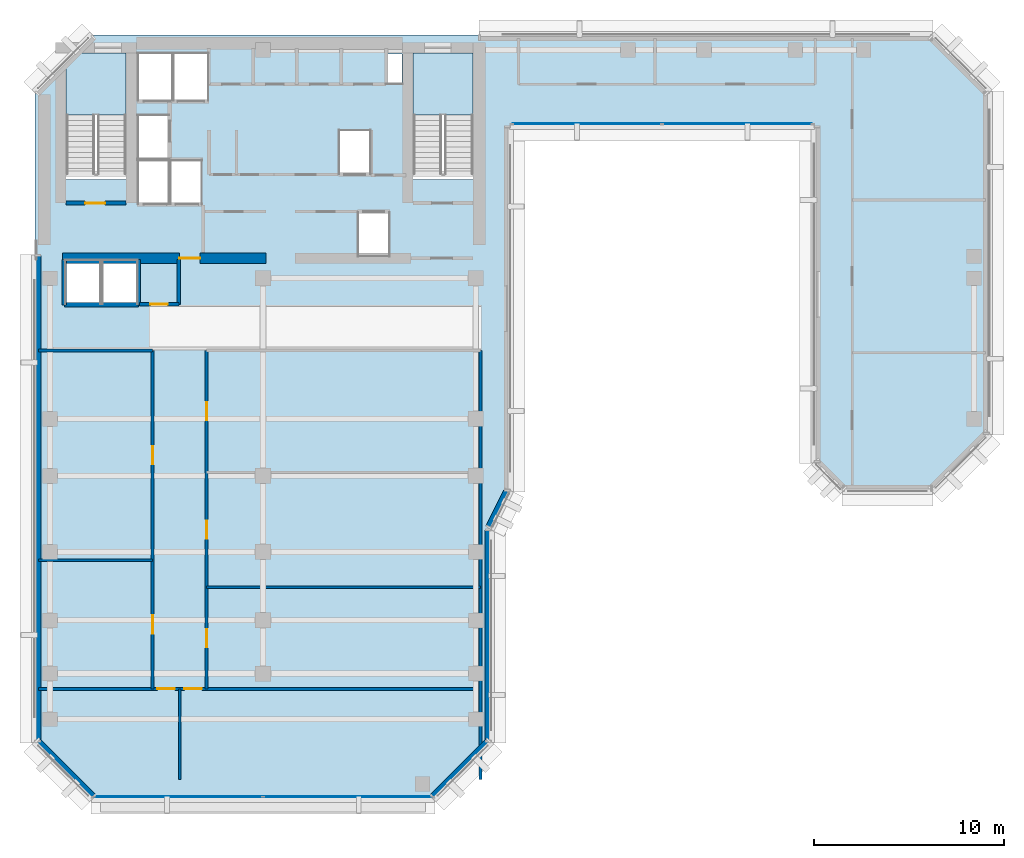
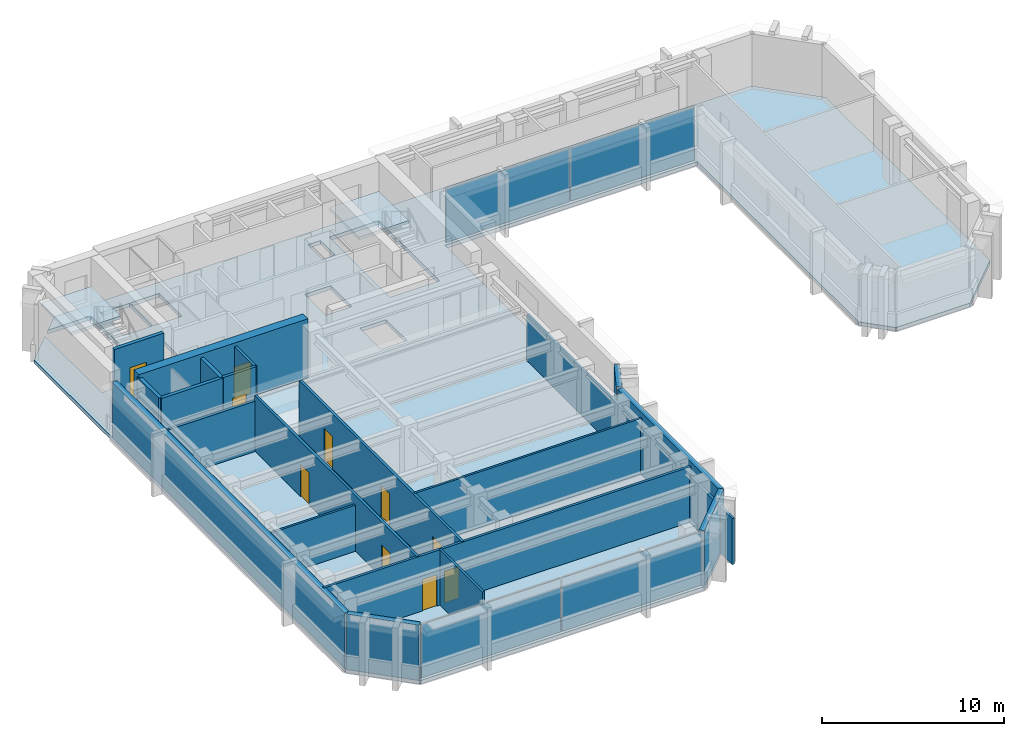
# One storey, part 5 of 11: 20 walls, 10 doors, 4 plates, 3 slabs, 10 openings, 4 elements without a shape of their own.
"""IFC4 building model written with IfcOpenShell, lengths in metres."""

from ifc_helpers import new_model, si_unit, direction, frame, frame_2d, origin, origin_2d, place, context, subcontext, project, spatial, polyline, rectangle, outline, extrude, material, layer, layer_set, type_object, element, fill, aggregate, save


model = new_model("IFC4")

# Units and contexts
model_context = context("Model", 3, precision=1e-05, world=origin(), true_north=direction((0.0, 1.0)))
body_context = subcontext(model_context, "Body", "Model", "MODEL_VIEW")
ifc_project = project(units=[si_unit("LENGTHUNIT", "METRE"), si_unit("AREAUNIT", "SQUARE_METRE"), si_unit("VOLUMEUNIT", "CUBIC_METRE"), si_unit("PLANEANGLEUNIT", "RADIAN"), si_unit("MASSUNIT", "GRAM", prefix="KILO")], contexts=[model_context])

# Site, building, storey
site_placement = place(None, origin())
site = spatial("IfcSite", under=ifc_project, at=site_placement, CompositionType="ELEMENT")
building_placement = place(site_placement, origin())
building = spatial("IfcBuilding", under=site, at=building_placement, Name="Kefirva Bronze Tower", CompositionType="ELEMENT")
storey_placement = place(building_placement, frame((0.0, 0.0, 243.5400390625)))
storey = spatial("IfcBuildingStorey", under=building, at=storey_placement, Name="L59", CompositionType="ELEMENT", Elevation=243.5400390625)

# Stair, slab
ifc_material_1 = material(Name="Concrete C40/50", Category="concrete")
stair_type = type_object("IfcStairType", Name="RC Dogleg Protected Stair 24R", PredefinedType="HALF_TURN_STAIR", material=ifc_material_1)
stair_1_placement = place(storey_placement, origin())
stair_1 = element("IfcStair", 1, at=stair_1_placement, inside=storey, type_object=stair_type, Name="L59 Protected Exit Stair 1", PredefinedType="HALF_TURN_STAIR")
ifc_layer_1 = layer(ifc_material_1, 0.199951171875, Name="Concrete C40/50")
ifc_layer_set_1 = layer_set([ifc_layer_1], Name="Concrete C40/50")
slab_type_1 = type_object("IfcSlabType", Name="RC Stair Landing Slab 200mm", PredefinedType="LANDING", material=ifc_layer_set_1)
slab_1_placement = place(storey_placement, frame((0.0, 0.0, 1.780029296875)))
slab_1 = element("IfcSlab", 2, at=slab_1_placement, type_object=slab_type_1, Name="ST-1 landing 1", PredefinedType="LANDING", context=body_context, shape_type="SweptSolid", body=[
    extrude(outline(polyline([(4.800048828125, 41.780029296875), (4.800048828125, 45.050048828125), (1.64990234375, 45.050048828125), (1.64990234375, 41.780029296875), (4.800048828125, 41.780029296875)])), origin(), (0.0, 0.0, 1.0), 0.199951171875),
])
aggregate(stair_1, [slab_1])

stair_2_placement = place(storey_placement, origin())
stair_2 = element("IfcStair", 3, at=stair_2_placement, inside=storey, type_object=stair_type, Name="L59 Protected Exit Stair 2", PredefinedType="HALF_TURN_STAIR")
slab_2_placement = place(storey_placement, frame((0.0, 0.0, 1.780029296875)))
slab_2 = element("IfcSlab", 4, at=slab_2_placement, type_object=slab_type_1, Name="ST-2 landing 1", PredefinedType="LANDING", context=body_context, shape_type="SweptSolid", body=[
    extrude(outline(polyline([(23.050048828125, 41.780029296875), (23.050048828125, 45.050048828125), (19.89990234375, 45.050048828125), (19.89990234375, 41.780029296875), (23.050048828125, 41.780029296875)])), origin(), (0.0, 0.0, 1.0), 0.199951171875),
])
aggregate(stair_2, [slab_2])

# Slab
ifc_layer_2 = layer(ifc_material_1, 0.25, Name="Concrete C40/50")
ifc_layer_set_2 = layer_set([ifc_layer_2], Name="Concrete C40/50")
slab_type_2 = type_object("IfcSlabType", Name="RC Tower Floor Slab 250mm", PredefinedType="FLOOR", material=ifc_layer_set_2)
slab_3_placement = place(storey_placement, frame((0.0, 0.0, -0.25)))
element("IfcSlab", 5, at=slab_3_placement, inside=storey, type_object=slab_type_2, Name="L59 Structural Floor Slab", PredefinedType="FLOOR", context=body_context, shape_type="SweptSolid", body=[
    extrude(outline(polyline([(0.0, 8.800048828125), (0.0, 43.0), (1.64990234375, 44.64990234375), (1.64990234375, 38.39990234375), (4.800048828125, 38.39990234375), (4.800048828125, 45.050048828125), (2.050048828125, 45.050048828125), (3.0, 46.0), (47.199951171875, 46.0), (50.199951171875, 43.0), (50.199951171875, 25.0), (47.199951171875, 22.0), (42.5, 22.0), (41.0, 23.5), (41.0, 41.199951171875), (25.0, 41.199951171875), (25.0, 22.0), (24.0, 20.0), (24.0, 8.800048828125), (21.0, 5.800048828125), (3.0, 5.800048828125), (0.0, 8.800048828125)]), holes=[polyline([(23.050048828125, 45.050048828125), (19.89990234375, 45.050048828125), (19.89990234375, 38.39990234375), (23.050048828125, 38.39990234375), (23.050048828125, 45.050048828125)]), polyline([(19.320068359375, 43.419921875), (19.320068359375, 45.0), (18.52001953125, 45.0), (18.52001953125, 43.419921875), (19.320068359375, 43.419921875)]), polyline([(18.64990234375, 36.64990234375), (17.0, 36.64990234375), (17.0, 34.35009765625), (18.64990234375, 34.35009765625), (18.64990234375, 36.64990234375)]), polyline([(17.64990234375, 38.679931640625), (17.64990234375, 40.97998046875), (16.0, 40.97998046875), (16.0, 38.679931640625), (17.64990234375, 38.679931640625)]), polyline([(9.1201171875, 42.550048828125), (9.1201171875, 45.050048828125), (7.300048828125, 45.050048828125), (7.300048828125, 42.550048828125), (9.1201171875, 42.550048828125)]), polyline([(8.780029296875, 37.10009765625), (8.780029296875, 39.39990234375), (7.139892578125, 39.39990234375), (7.139892578125, 37.10009765625), (8.780029296875, 37.10009765625)]), polyline([(7.239990234375, 42.550048828125), (7.239990234375, 45.050048828125), (5.419921875, 45.050048828125), (5.419921875, 42.550048828125), (7.239990234375, 42.550048828125)]), polyline([(7.06005859375, 37.10009765625), (7.06005859375, 39.39990234375), (5.419921875, 39.39990234375), (5.419921875, 37.10009765625), (7.06005859375, 37.10009765625)]), polyline([(7.06005859375, 41.780029296875), (5.419921875, 41.780029296875), (5.419921875, 39.47998046875), (7.06005859375, 39.47998046875), (7.06005859375, 41.780029296875)]), polyline([(5.39990234375, 31.85009765625), (5.39990234375, 34.14990234375), (3.550048828125, 34.14990234375), (3.550048828125, 31.85009765625), (5.39990234375, 31.85009765625)]), polyline([(3.449951171875, 34.14990234375), (1.60009765625, 34.14990234375), (1.60009765625, 31.85009765625), (3.449951171875, 31.85009765625), (3.449951171875, 34.14990234375)])]), origin(), (0.0, 0.0, 1.0), 0.25),
])

# Curtain wall, plates
ifc_material_2 = material(Name="Bronze anodised aluminium", Category="aluminium")
ifc_layer_3 = layer(ifc_material_2, 0.179931640625, Name="Bronze anodised aluminium")
ifc_layer_set_3 = layer_set([ifc_layer_3], Name="Bronze anodised aluminium")
curtain_wall_type = type_object("IfcCurtainWallType", Name="Unitised Bronze Ribbon Curtain Wall Zone 3", PredefinedType="USERDEFINED", material=ifc_layer_set_3)
curtain_wall_1_placement = place(storey_placement, origin())
curtain_wall_1 = element("IfcCurtainWall", 6, at=curtain_wall_1_placement, inside=storey, type_object=curtain_wall_type, Name="L59 Curtain Wall 1", ObjectType="UNITISED CURTAIN WALL", PredefinedType="USERDEFINED")
ifc_material_3 = material(Name="Laminated low-E double glazing", Category="glass")
ifc_layer_4 = layer(ifc_material_3, 0.031982421875, Name="Laminated low-E double glazing")
ifc_layer_set_4 = layer_set([ifc_layer_4], Name="Laminated low-E double glazing")
plate_type = type_object("IfcPlateType", Name="Solar-Control Low-E Vision Panel 32mm", PredefinedType="CURTAIN_PANEL", material=ifc_layer_set_4)
plate_1_placement = place(storey_placement, frame((7.546142578125, 5.919921875, 0.074951171875), z_axis=(0.0, 0.0, 1.0), x_axis=(1.0, 0.0, 0.0)))
plate_1 = element("IfcPlate", 7, at=plate_1_placement, type_object=plate_type, Name="CW-03 panel 1.1", PredefinedType="CURTAIN_PANEL", context=body_context, shape_type="SweptSolid", body=[
    extrude(rectangle(XDim=8.83251953125, YDim=0.031982421875, at=origin_2d()), origin(), (0.0, 0.0, 1.0), 3.56005859375),
])
plate_2_placement = place(storey_placement, frame((16.453857421875, 5.919921875, 0.074951171875), z_axis=(0.0, 0.0, 1.0), x_axis=(1.0, 0.0, 0.0)))
plate_2 = element("IfcPlate", 8, at=plate_2_placement, type_object=plate_type, Name="CW-03 panel 2.1", PredefinedType="CURTAIN_PANEL", context=body_context, shape_type="SweptSolid", body=[
    extrude(rectangle(XDim=8.83251953125, YDim=0.031982421875, at=origin_2d()), origin(), (0.0, 0.0, 1.0), 3.56005859375),
])
aggregate(curtain_wall_1, [plate_1, plate_2])

curtain_wall_2_placement = place(storey_placement, origin())
curtain_wall_2 = element("IfcCurtainWall", 9, at=curtain_wall_2_placement, inside=storey, type_object=curtain_wall_type, Name="L59 Curtain Wall 2", ObjectType="UNITISED CURTAIN WALL", PredefinedType="USERDEFINED")
plate_3_placement = place(storey_placement, frame((29.046142578125, 41.320068359375, 0.074951171875), z_axis=(0.0, 0.0, 1.0), x_axis=(1.0, 0.0, 0.0)))
plate_3 = element("IfcPlate", 10, at=plate_3_placement, type_object=plate_type, Name="CW-03 panel 1.1", PredefinedType="CURTAIN_PANEL", context=body_context, shape_type="SweptSolid", body=[
    extrude(rectangle(XDim=7.83251953125, YDim=0.031982421875, at=origin_2d()), origin(), (0.0, 0.0, 1.0), 3.56005859375),
])
plate_4_placement = place(storey_placement, frame((36.953857421875, 41.320068359375, 0.074951171875), z_axis=(0.0, 0.0, 1.0), x_axis=(1.0, 0.0, 0.0)))
plate_4 = element("IfcPlate", 11, at=plate_4_placement, type_object=plate_type, Name="CW-03 panel 2.1", PredefinedType="CURTAIN_PANEL", context=body_context, shape_type="SweptSolid", body=[
    extrude(rectangle(XDim=7.83251953125, YDim=0.031982421875, at=origin_2d()), origin(), (0.0, 0.0, 1.0), 3.56005859375),
])
aggregate(curtain_wall_2, [plate_3, plate_4])

# Walls
ifc_material_4 = material(Name="Gypsum acoustic partition")
ifc_layer_5 = layer(ifc_material_4, 0.1298828125, Name="Gypsum acoustic partition")
ifc_layer_set_5 = layer_set([ifc_layer_5], Name="Gypsum acoustic partition")
wall_type_1 = type_object("IfcWallType", Name="Acoustic Office Partition 130mm", PredefinedType="PARTITIONING", material=ifc_layer_set_5)
wall_1_placement = place(storey_placement, frame((7.6201171875, 6.840087890625, 0.0), z_axis=(0.0, 0.0, 1.0), x_axis=(0.0, 1.0, 0.0)))
element("IfcWall", 12, at=wall_1_placement, inside=storey, type_object=wall_type_1, Name="L59 Partition W-L59-CAPDV", PredefinedType="PARTITIONING", context=body_context, shape_type="SweptSolid", body=[
    extrude(rectangle(XDim=4.760009765625, YDim=0.1298828125, at=frame_2d((2.3798828125, 0.0))), origin(), (0.0, 0.0, 1.0), 3.7099609375),
])
wall_2_placement = place(storey_placement, frame((0.18994140625, 18.364013671875, 0.0), z_axis=(0.0, 0.0, 1.0), x_axis=(1.0, 0.0, 0.0)))
element("IfcWall", 13, at=wall_2_placement, inside=storey, type_object=wall_type_1, Name="L59 Partition W-L59-SWD1", PredefinedType="PARTITIONING", context=body_context, shape_type="SweptSolid", body=[
    extrude(rectangle(XDim=6.010009765625, YDim=0.1298828125, at=frame_2d((3.0048828125, 0.0))), origin(), (0.0, 0.0, 1.0), 3.094970703125),
])
wall_3_placement = place(storey_placement, frame((9.0400390625, 16.93994140625, 0.0), z_axis=(0.0, 0.0, 1.0), x_axis=(1.0, 0.0, 0.0)))
element("IfcWall", 14, at=wall_3_placement, inside=storey, type_object=wall_type_1, Name="L59 Partition W-L59-SED1", PredefinedType="PARTITIONING", context=body_context, shape_type="SweptSolid", body=[
    extrude(rectangle(XDim=14.409912109375, YDim=0.1298828125, at=frame_2d((7.205078125, 0.0))), origin(), (0.0, 0.0, 1.0), 3.7099609375),
])

# Wall, opening, door
ifc_material_5 = material(Name="Gypsum fireboard shaftwall")
ifc_layer_6 = layer(ifc_material_5, 0.219970703125, Name="Gypsum fireboard shaftwall")
ifc_layer_set_6 = layer_set([ifc_layer_6], Name="Gypsum fireboard shaftwall")
wall_type_2 = type_object("IfcWallType", Name="Fire-Rated Shaft Enclosure Wall 220mm", PredefinedType="PARTITIONING", material=ifc_layer_set_6)
wall_4_placement = place(storey_placement, frame((1.64990234375, 37.14990234375, 0.0), z_axis=(0.0, 0.0, 1.0), x_axis=(1.0, 0.0, 0.0)))
wall_4 = element("IfcWall", 15, at=wall_4_placement, inside=storey, type_object=wall_type_2, Name="L59 Partition W-L59-ST1S", PredefinedType="PARTITIONING", context=body_context, shape_type="SweptSolid", body=[
    extrude(rectangle(XDim=3.150146484375, YDim=0.219970703125, at=frame_2d((1.5751953125, 0.0))), origin(), (0.0, 0.0, 1.0), 3.7099609375),
])
opening_1_placement = place(wall_4_placement, frame((2.050048828125, 0.0, 0.0), z_axis=(0.0, 0.0, 1.0), x_axis=(-1.0, 0.0, 0.0)))
opening_1 = element("IfcOpeningElement", 16, at=opening_1_placement, cuts=wall_4, Name="Opening L59-D001", PredefinedType="OPENING", context=body_context, shape_type="SweptSolid", body=[
    extrude(rectangle(XDim=1.050048828125, YDim=2.14990234375, at=frame_2d((0.52490234375, 1.074951171875))), frame((0.0, 0.1201171875, 0.0), z_axis=(0.0, -1.0, 0.0), x_axis=(1.0, 0.0, 0.0)), (0.0, 0.0, 1.0), 0.239990234375),
])
ifc_material_6 = material(Name="Painted galvanized steel", Category="steel")
door_type_1 = type_object("IfcDoorType", Name="Fire Stair Enclosure Door 1050x2150 FD90S", OperationType="NOTDEFINED", PredefinedType="DOOR", material=ifc_material_6)
door_1_placement = place(opening_1_placement, origin())
door_1 = element("IfcDoor", 17, at=door_1_placement, inside=storey, type_object=door_type_1, Name="Door L59-D001", OperationType="SINGLE_SWING_LEFT", OverallHeight=2.14990234375, OverallWidth=1.050048828125, PredefinedType="DOOR", context=body_context, shape_type="SweptSolid", body=[
    extrude(rectangle(XDim=1.050048828125, YDim=2.14990234375, at=frame_2d((0.52490234375, 1.074951171875))), frame((0.0, 0.02490234375, 0.0), z_axis=(0.0, -1.0, 0.0), x_axis=(1.0, 0.0, 0.0)), (0.0, 0.0, 1.0), 0.050048828125),
])
fill(opening_1, door_1)

# Walls
wall_5_placement = place(storey_placement, frame((1.550048828125, 31.800048828125, 0.0), z_axis=(0.0, 0.0, 1.0), x_axis=(1.0, 0.0, 0.0)))
element("IfcWall", 18, at=wall_5_placement, inside=storey, type_object=wall_type_2, Name="L59 Partition W-L59-OBS", PredefinedType="PARTITIONING", context=body_context, shape_type="SweptSolid", body=[
    extrude(rectangle(XDim=3.89990234375, YDim=0.219970703125, at=frame_2d((1.949951171875, 0.0))), origin(), (0.0, 0.0, 1.0), 3.7099609375),
])
for number, where, z_axis, x_axis, name in (
    (19, (1.550048828125, 31.800048828125, 0.0), (0.0, 0.0, 1.0), (0.0, 1.0, 0.0), "L59 Partition W-L59-OBW"),
    (20, (5.449951171875, 31.800048828125, 0.0), (0.0, 0.0, 1.0), (0.0, 1.0, 0.0), "L59 Partition W-L59-OBE"),
):
    element("IfcWall", number, at=place(storey_placement, frame(where, z_axis=z_axis, x_axis=x_axis)), inside=storey, type_object=wall_type_2, Name=name, PredefinedType="PARTITIONING", context=body_context, shape_type="SweptSolid", body=[
        extrude(rectangle(XDim=2.3798828125, YDim=0.219970703125, at=frame_2d((1.18994140625, 0.0))), origin(), (0.0, 0.0, 1.0), 3.7099609375),
    ])
ifc_material_7 = material(Name="Precast concrete C40/50", Category="concrete")
ifc_layer_7 = layer(ifc_material_7, 0.320068359375, Name="Precast concrete C40/50")
ifc_layer_set_7 = layer_set([ifc_layer_7], Name="Precast concrete C40/50")
wall_type_3 = type_object("IfcWallType", Name="Precast Insulated Exterior Wall 320mm", PredefinedType="SOLIDWALL", material=ifc_layer_set_7)
wall_6_placement = place(storey_placement, frame((20.92578125, 5.951904296875, 0.0), z_axis=(0.0, 0.0, 1.0), x_axis=(0.707077242712, 0.707136318428, 0.0)))
element("IfcWall", 21, at=wall_6_placement, inside=storey, type_object=wall_type_3, Name="L59 Exterior Facade Wall 1", PredefinedType="SOLIDWALL", context=body_context, shape_type="SweptSolid", body=[
    extrude(rectangle(XDim=4.132568359375, YDim=0.320068359375, at=frame_2d((2.06640625, 0.0))), origin(), (0.0, 0.0, 1.0), 3.7099609375),
])
wall_7_placement = place(storey_placement, frame((23.840087890625, 8.85498046875, 0.0), z_axis=(0.0, 0.0, 1.0), x_axis=(0.0, 1.0, 0.0)))
element("IfcWall", 22, at=wall_7_placement, inside=storey, type_object=wall_type_3, Name="L59 Exterior Facade Wall 2", PredefinedType="SOLIDWALL", context=body_context, shape_type="SweptSolid", body=[
    extrude(rectangle(XDim=11.090087890625, YDim=0.320068359375, at=frame_2d((5.544921875, 0.0))), origin(), (0.0, 0.0, 1.0), 3.7099609375),
])
wall_8_placement = place(storey_placement, frame((23.881591796875, 20.12060546875, 0.0), z_axis=(0.0, 0.0, 1.0), x_axis=(0.447121734542, 0.894473115583, 0.0)))
element("IfcWall", 23, at=wall_8_placement, inside=storey, type_object=wall_type_3, Name="L59 Exterior Facade Wall 3", PredefinedType="SOLIDWALL", context=body_context, shape_type="SweptSolid", body=[
    extrude(rectangle(XDim=2.126220703125, YDim=0.320068359375, at=frame_2d((1.06298828125, 0.0))), origin(), (0.0, 0.0, 1.0), 3.7099609375),
])
wall_9_placement = place(storey_placement, frame((0.159912109375, 34.39501953125, 0.0), z_axis=(0.0, 0.0, 1.0), x_axis=(0.0, -1.0, 0.0)))
element("IfcWall", 24, at=wall_9_placement, inside=storey, type_object=wall_type_3, Name="L59 Exterior Facade Wall 13", PredefinedType="SOLIDWALL", context=body_context, shape_type="SweptSolid", body=[
    extrude(rectangle(XDim=25.5400390625, YDim=0.320068359375, at=frame_2d((12.77001953125, 0.0))), origin(), (0.0, 0.0, 1.0), 3.7099609375),
])
wall_10_placement = place(storey_placement, frame((0.152099609375, 8.874267578125, 0.0), z_axis=(0.0, 0.0, 1.0), x_axis=(0.707077242712, -0.707136318428, 0.0)))
element("IfcWall", 25, at=wall_10_placement, inside=storey, type_object=wall_type_3, Name="L59 Exterior Facade Wall 14", PredefinedType="SOLIDWALL", context=body_context, shape_type="SweptSolid", body=[
    extrude(rectangle(XDim=4.132568359375, YDim=0.320068359375, at=frame_2d((2.06640625, 0.0))), origin(), (0.0, 0.0, 1.0), 3.7099609375),
])

# Wall, openings, doors
ifc_layer_8 = layer(ifc_material_4, 0.159912109375, Name="Gypsum acoustic partition")
ifc_layer_set_8 = layer_set([ifc_layer_8], Name="Gypsum acoustic partition")
wall_type_4 = type_object("IfcWallType", Name="Protected Corridor Partition 160mm", PredefinedType="PARTITIONING", material=ifc_layer_set_8)
wall_11_placement = place(storey_placement, frame((6.199951171875, 11.60009765625, 0.0), z_axis=(0.0, 0.0, 1.0), x_axis=(0.0, 1.0, 0.0)))
wall_11 = element("IfcWall", 26, at=wall_11_placement, inside=storey, type_object=wall_type_4, Name="L59 Partition W-L59-SWCORW", PredefinedType="PARTITIONING", context=body_context, shape_type="SweptSolid", body=[
    extrude(rectangle(XDim=17.7998046875, YDim=0.159912109375, at=frame_2d((8.89990234375, 0.0))), origin(), (0.0, 0.0, 1.0), 3.7099609375),
])
opening_2_placement = place(wall_11_placement, frame((3.85693359375, 0.0, 0.0), z_axis=(0.0, 0.0, 1.0), x_axis=(-1.0, 0.0, 0.0)))
opening_2 = element("IfcOpeningElement", 27, at=opening_2_placement, cuts=wall_11, Name="Opening L59-D-SW1", PredefinedType="OPENING", context=body_context, shape_type="SweptSolid", body=[
    extrude(rectangle(XDim=0.949951171875, YDim=2.14990234375, at=frame_2d((0.47509765625, 1.074951171875))), frame((0.0, 0.08984375, 0.0), z_axis=(0.0, -1.0, 0.0), x_axis=(1.0, 0.0, 0.0)), (0.0, 0.0, 1.0), 0.179931640625),
])
opening_3_placement = place(wall_11_placement, frame((12.7568359375, 0.0, 0.0), z_axis=(0.0, 0.0, 1.0), x_axis=(-1.0, 0.0, 0.0)))
opening_3 = element("IfcOpeningElement", 28, at=opening_3_placement, cuts=wall_11, Name="Opening L59-D-SW2", PredefinedType="OPENING", context=body_context, shape_type="SweptSolid", body=[
    extrude(rectangle(XDim=0.949951171875, YDim=2.14990234375, at=frame_2d((0.47509765625, 1.074951171875))), frame((0.0, 0.08984375, 0.0), z_axis=(0.0, -1.0, 0.0), x_axis=(1.0, 0.0, 0.0)), (0.0, 0.0, 1.0), 0.179931640625),
])
ifc_material_8 = material(Name="Acoustic hardwood oak", Category="wood")
door_type_2 = type_object("IfcDoorType", Name="Office & Meeting Room Door 950x2150", OperationType="NOTDEFINED", PredefinedType="DOOR", material=ifc_material_8)
door_2_placement = place(opening_2_placement, origin())
door_2 = element("IfcDoor", 29, at=door_2_placement, inside=storey, type_object=door_type_2, Name="Door L59-D-SW1", OperationType="SINGLE_SWING_RIGHT", OverallHeight=2.14990234375, OverallWidth=0.949951171875, PredefinedType="DOOR", context=body_context, shape_type="SweptSolid", body=[
    extrude(rectangle(XDim=0.949951171875, YDim=2.14990234375, at=frame_2d((0.47509765625, 1.074951171875))), frame((0.0, 0.02490234375, 0.0), z_axis=(0.0, -1.0, 0.0), x_axis=(1.0, 0.0, 0.0)), (0.0, 0.0, 1.0), 0.050048828125),
])
fill(opening_2, door_2)
door_3_placement = place(opening_3_placement, origin())
door_3 = element("IfcDoor", 30, at=door_3_placement, inside=storey, type_object=door_type_2, Name="Door L59-D-SW2", OperationType="SINGLE_SWING_LEFT", OverallHeight=2.14990234375, OverallWidth=0.949951171875, PredefinedType="DOOR", context=body_context, shape_type="SweptSolid", body=[
    extrude(rectangle(XDim=0.949951171875, YDim=2.14990234375, at=frame_2d((0.47509765625, 1.074951171875))), frame((0.0, 0.02490234375, 0.0), z_axis=(0.0, -1.0, 0.0), x_axis=(1.0, 0.0, 0.0)), (0.0, 0.0, 1.0), 0.050048828125),
])
fill(opening_3, door_3)

wall_12_placement = place(storey_placement, frame((9.0400390625, 11.60009765625, 0.0), z_axis=(0.0, 0.0, 1.0), x_axis=(0.0, 1.0, 0.0)))
wall_12 = element("IfcWall", 31, at=wall_12_placement, inside=storey, type_object=wall_type_4, Name="L59 Partition W-L59-SECORE", PredefinedType="PARTITIONING", context=body_context, shape_type="SweptSolid", body=[
    extrude(rectangle(XDim=17.7998046875, YDim=0.159912109375, at=frame_2d((8.89990234375, 0.0))), origin(), (0.0, 0.0, 1.0), 3.7099609375),
])
opening_4_placement = place(wall_12_placement, frame((2.195068359375, 0.0, 0.0)))
opening_4 = element("IfcOpeningElement", 32, at=opening_4_placement, cuts=wall_12, Name="Opening L59-D-SE1", PredefinedType="OPENING", context=body_context, shape_type="SweptSolid", body=[
    extrude(rectangle(XDim=0.949951171875, YDim=2.14990234375, at=frame_2d((0.47509765625, 1.074951171875))), frame((0.0, 0.08984375, 0.0), z_axis=(0.0, -1.0, 0.0), x_axis=(1.0, 0.0, 0.0)), (0.0, 0.0, 1.0), 0.179931640625),
])
opening_5_placement = place(wall_12_placement, frame((7.89111328125, 0.0, 0.0)))
opening_5 = element("IfcOpeningElement", 33, at=opening_5_placement, cuts=wall_12, Name="Opening L59-D-SE2", PredefinedType="OPENING", context=body_context, shape_type="SweptSolid", body=[
    extrude(rectangle(XDim=0.949951171875, YDim=2.14990234375, at=frame_2d((0.47509765625, 1.074951171875))), frame((0.0, 0.08984375, 0.0), z_axis=(0.0, -1.0, 0.0), x_axis=(1.0, 0.0, 0.0)), (0.0, 0.0, 1.0), 0.179931640625),
])
opening_6_placement = place(wall_12_placement, frame((14.12109375, 0.0, 0.0)))
opening_6 = element("IfcOpeningElement", 34, at=opening_6_placement, cuts=wall_12, Name="Opening L59-D-SE3", PredefinedType="OPENING", context=body_context, shape_type="SweptSolid", body=[
    extrude(rectangle(XDim=0.949951171875, YDim=2.14990234375, at=frame_2d((0.47509765625, 1.074951171875))), frame((0.0, 0.08984375, 0.0), z_axis=(0.0, -1.0, 0.0), x_axis=(1.0, 0.0, 0.0)), (0.0, 0.0, 1.0), 0.179931640625),
])
door_4_placement = place(opening_4_placement, origin())
door_4 = element("IfcDoor", 35, at=door_4_placement, inside=storey, type_object=door_type_2, Name="Door L59-D-SE1", OperationType="SINGLE_SWING_RIGHT", OverallHeight=2.14990234375, OverallWidth=0.949951171875, PredefinedType="DOOR", context=body_context, shape_type="SweptSolid", body=[
    extrude(rectangle(XDim=0.949951171875, YDim=2.14990234375, at=frame_2d((0.47509765625, 1.074951171875))), frame((0.0, 0.02490234375, 0.0), z_axis=(0.0, -1.0, 0.0), x_axis=(1.0, 0.0, 0.0)), (0.0, 0.0, 1.0), 0.050048828125),
])
fill(opening_4, door_4)
door_5_placement = place(opening_5_placement, origin())
door_5 = element("IfcDoor", 36, at=door_5_placement, inside=storey, type_object=door_type_2, Name="Door L59-D-SE2", OperationType="SINGLE_SWING_LEFT", OverallHeight=2.14990234375, OverallWidth=0.949951171875, PredefinedType="DOOR", context=body_context, shape_type="SweptSolid", body=[
    extrude(rectangle(XDim=0.949951171875, YDim=2.14990234375, at=frame_2d((0.47509765625, 1.074951171875))), frame((0.0, 0.02490234375, 0.0), z_axis=(0.0, -1.0, 0.0), x_axis=(1.0, 0.0, 0.0)), (0.0, 0.0, 1.0), 0.050048828125),
])
fill(opening_5, door_5)
door_6_placement = place(opening_6_placement, origin())
door_6 = element("IfcDoor", 37, at=door_6_placement, inside=storey, type_object=door_type_2, Name="Door L59-D-SE3", OperationType="SINGLE_SWING_RIGHT", OverallHeight=2.14990234375, OverallWidth=0.949951171875, PredefinedType="DOOR", context=body_context, shape_type="SweptSolid", body=[
    extrude(rectangle(XDim=0.949951171875, YDim=2.14990234375, at=frame_2d((0.47509765625, 1.074951171875))), frame((0.0, 0.02490234375, 0.0), z_axis=(0.0, -1.0, 0.0), x_axis=(1.0, 0.0, 0.0)), (0.0, 0.0, 1.0), 0.050048828125),
])
fill(opening_6, door_6)

wall_13_placement = place(storey_placement, frame((0.18994140625, 11.60009765625, 0.0), z_axis=(0.0, 0.0, 1.0), x_axis=(1.0, 0.0, 0.0)))
wall_13 = element("IfcWall", 38, at=wall_13_placement, inside=storey, type_object=wall_type_4, Name="L59 Partition W-L59-SBEND", PredefinedType="PARTITIONING", context=body_context, shape_type="SweptSolid", body=[
    extrude(rectangle(XDim=23.260009765625, YDim=0.159912109375, at=frame_2d((11.6298828125, 0.0))), origin(), (0.0, 0.0, 1.0), 3.7099609375),
])
opening_7_placement = place(wall_13_placement, frame((6.260009765625, 0.0, 0.0)))
opening_7 = element("IfcOpeningElement", 39, at=opening_7_placement, cuts=wall_13, Name="Opening L59-D-SEND1", PredefinedType="OPENING", context=body_context, shape_type="SweptSolid", body=[
    extrude(rectangle(XDim=0.919921875, YDim=2.10009765625, at=frame_2d((0.4599609375, 1.050048828125))), frame((0.0, 0.08984375, 0.0), z_axis=(0.0, -1.0, 0.0), x_axis=(1.0, 0.0, 0.0)), (0.0, 0.0, 1.0), 0.179931640625),
])
opening_8_placement = place(wall_13_placement, frame((7.679931640625, 0.0, 0.0)))
opening_8 = element("IfcOpeningElement", 40, at=opening_8_placement, cuts=wall_13, Name="Opening L59-D-SEND2", PredefinedType="OPENING", context=body_context, shape_type="SweptSolid", body=[
    extrude(rectangle(XDim=0.919921875, YDim=2.10009765625, at=frame_2d((0.4599609375, 1.050048828125))), frame((0.0, 0.08984375, 0.0), z_axis=(0.0, -1.0, 0.0), x_axis=(1.0, 0.0, 0.0)), (0.0, 0.0, 1.0), 0.179931640625),
])
ifc_material_9 = material(Name="Moisture-resistant timber", Category="wood")
door_type_3 = type_object("IfcDoorType", Name="Accessible Sanitary & WC Door 920x2100", OperationType="NOTDEFINED", PredefinedType="DOOR", material=ifc_material_9)
door_7_placement = place(opening_7_placement, origin())
door_7 = element("IfcDoor", 41, at=door_7_placement, inside=storey, type_object=door_type_3, Name="Door L59-D-SEND1", OperationType="SINGLE_SWING_RIGHT", OverallHeight=2.10009765625, OverallWidth=0.919921875, PredefinedType="DOOR", context=body_context, shape_type="SweptSolid", body=[
    extrude(rectangle(XDim=0.919921875, YDim=2.10009765625, at=frame_2d((0.4599609375, 1.050048828125))), frame((0.0, 0.02490234375, 0.0), z_axis=(0.0, -1.0, 0.0), x_axis=(1.0, 0.0, 0.0)), (0.0, 0.0, 1.0), 0.050048828125),
])
fill(opening_7, door_7)
door_8_placement = place(opening_8_placement, origin())
door_8 = element("IfcDoor", 42, at=door_8_placement, inside=storey, type_object=door_type_3, Name="Door L59-D-SEND2", OperationType="SINGLE_SWING_LEFT", OverallHeight=2.10009765625, OverallWidth=0.919921875, PredefinedType="DOOR", context=body_context, shape_type="SweptSolid", body=[
    extrude(rectangle(XDim=0.919921875, YDim=2.10009765625, at=frame_2d((0.4599609375, 1.050048828125))), frame((0.0, 0.02490234375, 0.0), z_axis=(0.0, -1.0, 0.0), x_axis=(1.0, 0.0, 0.0)), (0.0, 0.0, 1.0), 0.050048828125),
])
fill(opening_8, door_8)

# Walls
wall_14_placement = place(storey_placement, frame((0.18994140625, 29.39990234375, 0.0), z_axis=(0.0, 0.0, 1.0), x_axis=(1.0, 0.0, 0.0)))
element("IfcWall", 43, at=wall_14_placement, inside=storey, type_object=wall_type_4, Name="L59 Partition W-L59-NWT", PredefinedType="PARTITIONING", context=body_context, shape_type="SweptSolid", body=[
    extrude(rectangle(XDim=6.010009765625, YDim=0.159912109375, at=frame_2d((3.0048828125, 0.0))), origin(), (0.0, 0.0, 1.0), 3.364990234375),
])
wall_15_placement = place(storey_placement, frame((23.449951171875, 6.840087890625, 0.0), z_axis=(0.0, 0.0, 1.0), x_axis=(0.0, 1.0, 0.0)))
element("IfcWall", 44, at=wall_15_placement, inside=storey, type_object=wall_type_4, Name="L59 Partition W-L59-SWEAST", PredefinedType="PARTITIONING", context=body_context, shape_type="SweptSolid", body=[
    extrude(rectangle(XDim=22.559814453125, YDim=0.159912109375, at=frame_2d((11.27978515625, 0.0))), origin(), (0.0, 0.0, 1.0), 3.094970703125),
])

# Wall, opening, door
ifc_material_10 = material(Name="Concrete C50/60", Category="concrete")
ifc_layer_9 = layer(ifc_material_10, 0.64990234375, Name="Concrete C50/60")
ifc_layer_set_9 = layer_set([ifc_layer_9], Name="Concrete C50/60")
wall_type_5 = type_object("IfcWallType", Name="RC Rear Core Interior Wall 650mm", PredefinedType="SHEAR", material=ifc_layer_set_9)
wall_16_placement = place(storey_placement, frame((1.449951171875, 34.25, 0.0), z_axis=(0.0, 0.0, 1.0), x_axis=(1.0, 0.0, 0.0)))
wall_16 = element("IfcWall", 45, at=wall_16_placement, inside=storey, type_object=wall_type_5, Name="L59 Rear Core South-West Shear Wall", PredefinedType="SHEAR", context=body_context, shape_type="SweptSolid", body=[
    extrude(rectangle(XDim=10.7099609375, YDim=0.550048828125, at=frame_2d((5.35498046875, 0.0))), origin(), (0.0, 0.0, 1.0), 3.9599609375),
])
opening_9_placement = place(wall_16_placement, frame((7.25, 0.0, 0.0), z_axis=(0.0, 0.0, 1.0), x_axis=(-1.0, 0.0, 0.0)))
opening_9 = element("IfcOpeningElement", 46, at=opening_9_placement, cuts=wall_16, Name="Opening L59-D002", PredefinedType="OPENING", context=body_context, shape_type="SweptSolid", body=[
    extrude(rectangle(XDim=1.10009765625, YDim=2.14990234375, at=frame_2d((0.550048828125, 1.074951171875))), frame((0.0, 0.28515625, 0.0), z_axis=(0.0, -1.0, 0.0), x_axis=(1.0, 0.0, 0.0)), (0.0, 0.0, 1.0), 0.570068359375),
])
door_type_4 = type_object("IfcDoorType", Name="Firefighting Lobby Smoke Door 1100x2150 FD60S", OperationType="NOTDEFINED", PredefinedType="DOOR", material=ifc_material_6)
door_9_placement = place(opening_9_placement, origin())
door_9 = element("IfcDoor", 47, at=door_9_placement, inside=storey, type_object=door_type_4, Name="Door L59-D002", OperationType="SINGLE_SWING_RIGHT", OverallHeight=2.14990234375, OverallWidth=1.10009765625, PredefinedType="DOOR", context=body_context, shape_type="SweptSolid", body=[
    extrude(rectangle(XDim=1.10009765625, YDim=2.14990234375, at=frame_2d((0.550048828125, 1.074951171875))), frame((0.0, 0.02490234375, 0.0), z_axis=(0.0, -1.0, 0.0), x_axis=(1.0, 0.0, 0.0)), (0.0, 0.0, 1.0), 0.050048828125),
])
fill(opening_9, door_9)

ifc_material_11 = material(Name="Moisture-resistant partition")
ifc_layer_10 = layer(ifc_material_11, 0.179931640625, Name="Moisture-resistant partition")
ifc_layer_set_10 = layer_set([ifc_layer_10], Name="Moisture-resistant partition")
wall_type_6 = type_object("IfcWallType", Name="Sanitary Plumbing Chase Wall 180mm", PredefinedType="PLUMBINGWALL", material=ifc_layer_set_10)
wall_17_placement = place(storey_placement, frame((5.5, 31.820068359375, 0.0), z_axis=(0.0, 0.0, 1.0), x_axis=(1.0, 0.0, 0.0)))
wall_17 = element("IfcWall", 48, at=wall_17_placement, inside=storey, type_object=wall_type_6, Name="L59 Partition W-L59-TCS", PredefinedType="PLUMBINGWALL", context=body_context, shape_type="SweptSolid", body=[
    extrude(rectangle(XDim=2.080078125, YDim=0.179931640625, at=frame_2d((1.0400390625, 0.0))), origin(), (0.0, 0.0, 1.0), 3.7099609375),
])
opening_10_placement = place(wall_17_placement, frame((1.47998046875, 0.0, 0.0), z_axis=(0.0, 0.0, 1.0), x_axis=(-1.0, 0.0, 0.0)))
opening_10 = element("IfcOpeningElement", 49, at=opening_10_placement, cuts=wall_17, Name="Opening L59-D-TCL1", PredefinedType="OPENING", context=body_context, shape_type="SweptSolid", body=[
    extrude(rectangle(XDim=0.89990234375, YDim=2.10009765625, at=frame_2d((0.449951171875, 1.050048828125))), frame((0.0, 0.10009765625, 0.0), z_axis=(0.0, -1.0, 0.0), x_axis=(1.0, 0.0, 0.0)), (0.0, 0.0, 1.0), 0.199951171875),
])
door_type_5 = type_object("IfcDoorType", Name="Telecom & Meter Fire Door 900x2100 FD60S", OperationType="NOTDEFINED", PredefinedType="DOOR", material=ifc_material_6)
door_10_placement = place(opening_10_placement, origin())
door_10 = element("IfcDoor", 50, at=door_10_placement, inside=storey, type_object=door_type_5, Name="Door L59-D-TCL1", OperationType="SINGLE_SWING_RIGHT", OverallHeight=2.10009765625, OverallWidth=0.89990234375, PredefinedType="DOOR", context=body_context, shape_type="SweptSolid", body=[
    extrude(rectangle(XDim=0.89990234375, YDim=2.10009765625, at=frame_2d((0.449951171875, 1.050048828125))), frame((0.0, 0.02490234375, 0.0), z_axis=(0.0, -1.0, 0.0), x_axis=(1.0, 0.0, 0.0)), (0.0, 0.0, 1.0), 0.050048828125),
])
fill(opening_10, door_10)

# Wall
wall_18_placement = place(storey_placement, frame((7.580078125, 31.820068359375, 0.0), z_axis=(0.0, 0.0, 1.0), x_axis=(0.0, 1.0, 0.0)))
element("IfcWall", 51, at=wall_18_placement, inside=storey, type_object=wall_type_6, Name="L59 Partition W-L59-TCE", PredefinedType="PLUMBINGWALL", context=body_context, shape_type="SweptSolid", body=[
    extrude(rectangle(XDim=2.35986328125, YDim=0.179931640625, at=frame_2d((1.179931640625, 0.0))), origin(), (0.0, 0.0, 1.0), 3.7099609375),
])

save(model, "model.ifc")
